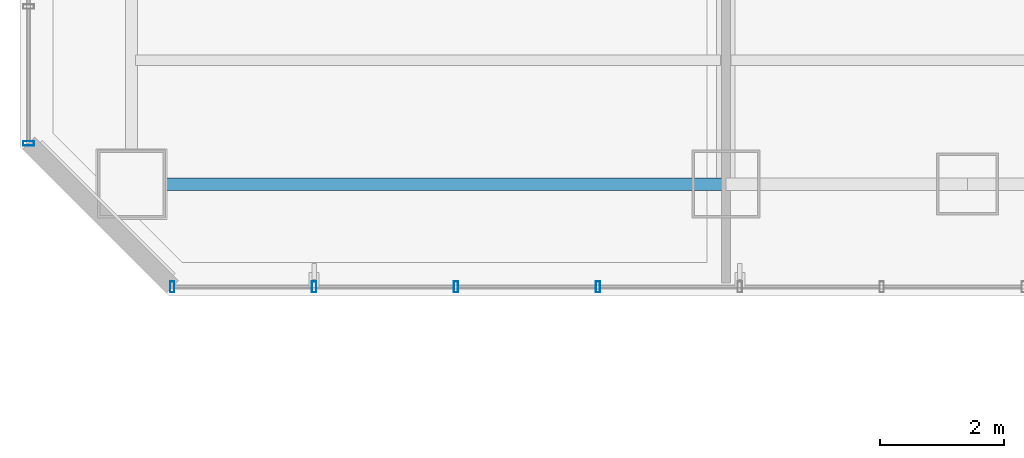
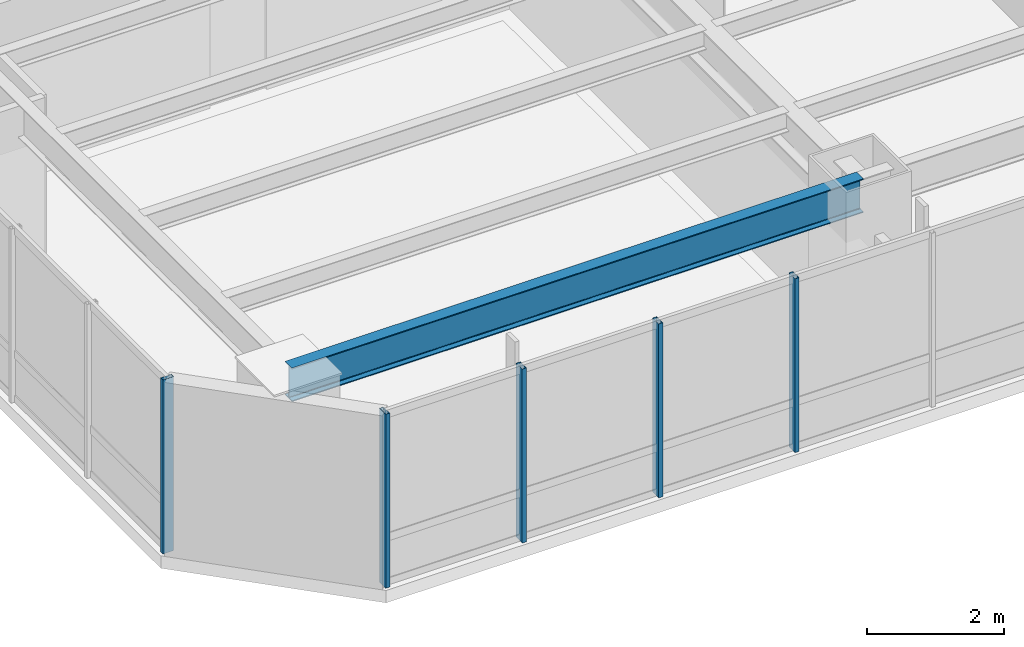
# One storey, part 2 of 39: 5 members, 1 beam, 2 elements without a shape of their own.
"""IFC4 building model written with IfcOpenShell, lengths in metres."""

from ifc_helpers import new_model, si_unit, direction, frame, origin, origin_2d, place, context, subcontext, project, spatial, hollow_rectangle, i_section, extrude, material, layer, layer_set, material_profile, profile_set, type_object, element, aggregate, save


model = new_model("IFC4")

# Units and contexts
model_context = context("Model", 3, precision=1e-05, world=origin(), true_north=direction((0.0, 1.0)))
body_context = subcontext(model_context, "Body", "Model", "MODEL_VIEW")
ifc_project = project(units=[si_unit("LENGTHUNIT", "METRE"), si_unit("AREAUNIT", "SQUARE_METRE"), si_unit("VOLUMEUNIT", "CUBIC_METRE"), si_unit("PLANEANGLEUNIT", "RADIAN"), si_unit("MASSUNIT", "GRAM", prefix="KILO")], contexts=[model_context])

# Site, building, storey
site_placement = place(None, origin())
site = spatial("IfcSite", under=ifc_project, at=site_placement, CompositionType="ELEMENT")
building_placement = place(site_placement, origin())
building = spatial("IfcBuilding", under=site, at=building_placement, Name="Hatsunagi Terrace Concourse", CompositionType="ELEMENT")
storey_placement = place(building_placement, frame((0.0, 0.0, 66.75)))
storey = spatial("IfcBuildingStorey", under=building, at=storey_placement, Name="L17", CompositionType="ELEMENT", Elevation=66.75)

# Curtain wall, members
ifc_material_1 = material(Name="Anodised Aluminium Alloy 6063-T5", Category="aluminium")
ifc_layer = layer(ifc_material_1, 0.199951171875)
ifc_layer_set = layer_set([ifc_layer], Name="HotelFacade_CW02")
curtain_wall_type = type_object("IfcCurtainWallType", Name="HotelFacade_CW02", PredefinedType="NOTDEFINED", material=ifc_layer_set)
curtain_wall_1_placement = place(storey_placement, origin())
curtain_wall_1 = element("IfcCurtainWall", 1, at=curtain_wall_1_placement, inside=storey, type_object=curtain_wall_type, Name="Unitised Curtain Wall CW-02 CW-L17-07", PredefinedType="NOTDEFINED")
ifc_material_2 = material(Name="Anodised Aluminium Alloy 6063-T5", Category="aluminium")
ifc_material_profile_1 = material_profile(ifc_material_2, hollow_rectangle(XDim=0.070068359375, YDim=0.179931640625, WallThickness=0.00390625, at=origin_2d()), Name="ALU-MUL-180x70x4")
ifc_profile_set_1 = profile_set([ifc_material_profile_1], Name="Anodised Aluminium Alloy 6063-T5")
member_type = type_object("IfcMemberType", Name="CurtainWallMullion_180x70", PredefinedType="MULLION", material=ifc_profile_set_1)
member_1_placement = place(storey_placement, frame((9.3330078125, 23.5400390625, 0.0), z_axis=(0.0, 0.0, 1.0), x_axis=(-1.0, 0.0, 0.0)))
member_1 = element("IfcMember", 2, at=member_1_placement, type_object=member_type, Name="Curtain Wall Mullion MUL-02", PredefinedType="MULLION", context=body_context, shape_type="SweptSolid", body=[
    extrude(hollow_rectangle(XDim=0.070068359375, YDim=0.179931640625, WallThickness=0.00390625, at=origin_2d()), origin(), (0.0, 0.0, 1.0), 3.090087890625),
])
member_2_placement = place(storey_placement, frame((7.041015625, 23.5400390625, 0.0), z_axis=(0.0, 0.0, 1.0), x_axis=(-1.0, 0.0, 0.0)))
member_2 = element("IfcMember", 3, at=member_2_placement, type_object=member_type, Name="Curtain Wall Mullion MUL-02", PredefinedType="MULLION", context=body_context, shape_type="SweptSolid", body=[
    extrude(hollow_rectangle(XDim=0.070068359375, YDim=0.179931640625, WallThickness=0.00390625, at=origin_2d()), origin(), (0.0, 0.0, 1.0), 3.090087890625),
])
member_3_placement = place(storey_placement, frame((4.75, 23.5400390625, 0.0), z_axis=(0.0, 0.0, 1.0), x_axis=(-1.0, 0.0, 0.0)))
member_3 = element("IfcMember", 4, at=member_3_placement, type_object=member_type, Name="Curtain Wall Mullion MUL-02", PredefinedType="MULLION", context=body_context, shape_type="SweptSolid", body=[
    extrude(hollow_rectangle(XDim=0.070068359375, YDim=0.179931640625, WallThickness=0.00390625, at=origin_2d()), origin(), (0.0, 0.0, 1.0), 3.090087890625),
])
member_4_placement = place(storey_placement, frame((2.4580078125, 23.5400390625, 0.0), z_axis=(0.0, 0.0, 1.0), x_axis=(-1.0, 0.0, 0.0)))
member_4 = element("IfcMember", 5, at=member_4_placement, type_object=member_type, Name="Curtain Wall Mullion MUL-02", PredefinedType="MULLION", context=body_context, shape_type="SweptSolid", body=[
    extrude(hollow_rectangle(XDim=0.070068359375, YDim=0.179931640625, WallThickness=0.00390625, at=origin_2d()), origin(), (0.0, 0.0, 1.0), 3.090087890625),
])
aggregate(curtain_wall_1, [member_1, member_2, member_3, member_4])

# Curtain wall, member
curtain_wall_2_placement = place(storey_placement, origin())
curtain_wall_2 = element("IfcCurtainWall", 6, at=curtain_wall_2_placement, inside=storey, type_object=curtain_wall_type, Name="Unitised Curtain Wall CW-02 CW-L17-09", PredefinedType="NOTDEFINED")
member_5_placement = place(storey_placement, frame((0.139892578125, 25.85791015625, 0.0), z_axis=(0.0, 0.0, 1.0), x_axis=(0.0, 1.0, 0.0)))
member_5 = element("IfcMember", 7, at=member_5_placement, type_object=member_type, Name="Curtain Wall Mullion MUL-02", PredefinedType="MULLION", context=body_context, shape_type="SweptSolid", body=[
    extrude(hollow_rectangle(XDim=0.070068359375, YDim=0.179931640625, WallThickness=0.00390625, at=origin_2d()), origin(), (0.0, 0.0, 1.0), 3.090087890625),
])
aggregate(curtain_wall_2, [member_5])

# Beam
ifc_material_3 = material(Name="Steel SN490B", Category="steel")
ifc_material_profile_2 = material_profile(ifc_material_3, i_section(OverallWidth=0.199951171875, OverallDepth=0.60009765625, WebThickness=0.010986328125, FlangeThickness=0.01708984375, FilletRadius=0.01806640625, at=origin_2d()), Name="H-600x200x11x17")
ifc_profile_set_2 = profile_set([ifc_material_profile_2], Name="Steel SN490B")
beam_type = type_object("IfcBeamType", Name="PerimeterSpandrel_H_600x200", PredefinedType="SPANDREL", material=ifc_profile_set_2)
beam_placement = place(storey_placement, frame((1.800048828125, 25.199951171875, 2.830078125), z_axis=(1.0, 0.0, 0.0), x_axis=(0.0, 1.0, 0.0)))
element("IfcBeam", 8, at=beam_placement, inside=storey, type_object=beam_type, Name="Beam SP-01 BM-L17-WS-1", PredefinedType="SPANDREL", context=body_context, shape_type="SweptSolid", body=[
    extrude(i_section(OverallWidth=0.199951171875, OverallDepth=0.60009765625, WebThickness=0.010986328125, FlangeThickness=0.01708984375, FilletRadius=0.01806640625, at=origin_2d()), origin(), (0.0, 0.0, 1.0), 9.599853515625),
])

save(model, "model.ifc")
